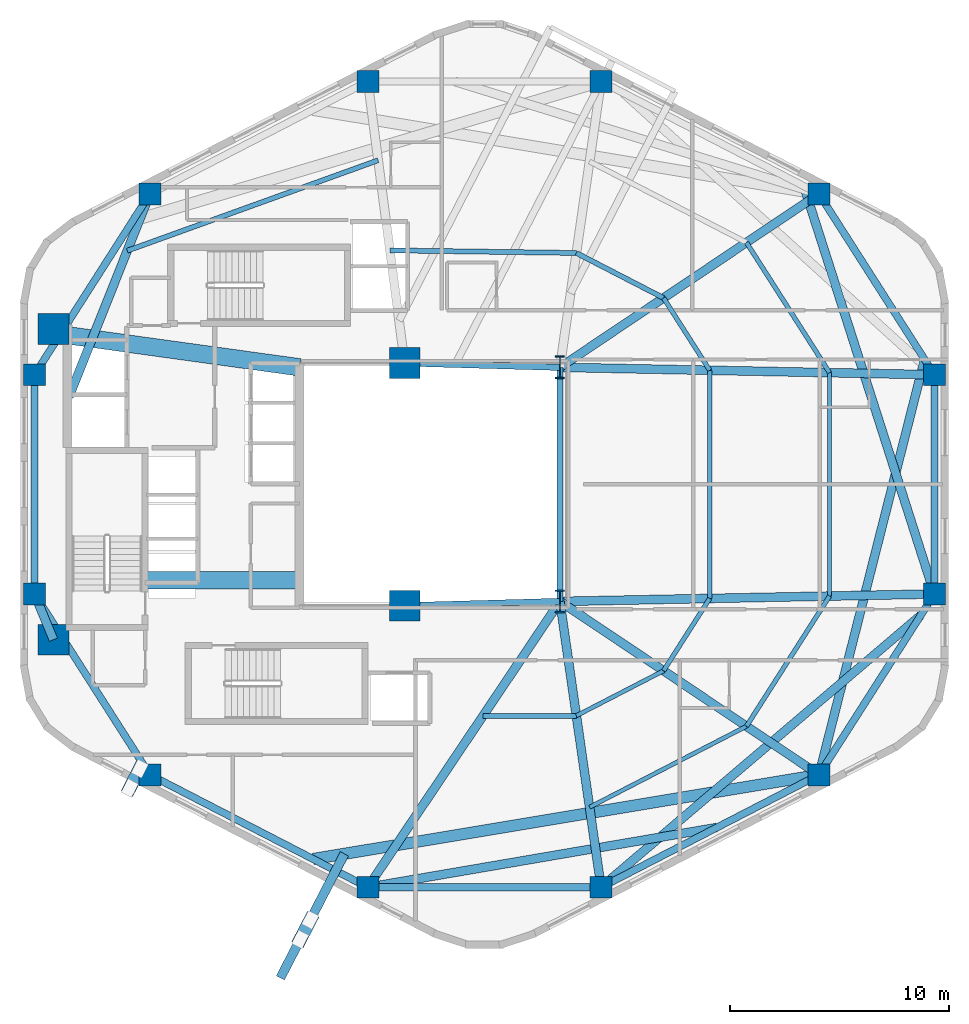
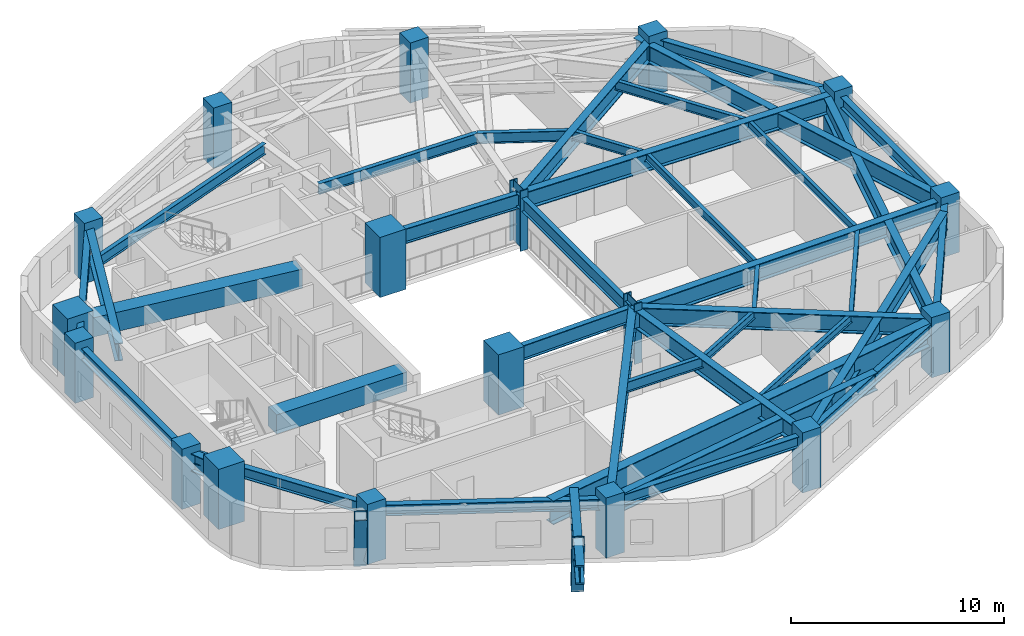
# One storey, part 1 of 7: 40 beams, 18 columns, 2 members.
"""IFC4 building model written with IfcOpenShell, lengths in metres."""

from ifc_helpers import new_model, si_unit, direction, frame, origin, origin_2d, place, context, subcontext, project, spatial, rectangle, hollow_rectangle, i_section, extrude, material, material_profile, profile_set, type_object, element, save


model = new_model("IFC4")

# Units and contexts
model_context = context("Model", 3, precision=1e-05, world=origin(), true_north=direction((0.0, 1.0)))
body_context = subcontext(model_context, "Body", "Model", "MODEL_VIEW")
ifc_project = project(units=[si_unit("LENGTHUNIT", "METRE"), si_unit("AREAUNIT", "SQUARE_METRE"), si_unit("VOLUMEUNIT", "CUBIC_METRE"), si_unit("PLANEANGLEUNIT", "RADIAN"), si_unit("MASSUNIT", "GRAM", prefix="KILO"), si_unit("THERMODYNAMICTEMPERATUREUNIT", "KELVIN"), si_unit("POWERUNIT", "WATT")], contexts=[model_context])

# Site, building, storey
site_placement = place(None, origin())
site = spatial("IfcSite", under=ifc_project, at=site_placement, CompositionType="ELEMENT")
building_placement = place(site_placement, origin())
building = spatial("IfcBuilding", under=site, at=building_placement, Name="Skarre Station Tower", CompositionType="ELEMENT")
storey_placement = place(building_placement, frame((0.0, 0.0, 160.199951171875)))
storey = spatial("IfcBuildingStorey", under=building, at=storey_placement, Name="L43", CompositionType="ELEMENT", Elevation=160.199951171875)

# Columns
ifc_material_1 = material(Name="Concrete C60/75", Category="concrete")
ifc_material_profile_1 = material_profile(ifc_material_1, rectangle(XDim=1.0, YDim=1.0, at=origin_2d()), Name="Concrete C60/75")
ifc_profile_set_1 = profile_set([ifc_material_profile_1], Name="Concrete C60/75")
column_type_1 = type_object("IfcColumnType", Name="RC Structural Column RC-COL-1000X1000", PredefinedType="COLUMN", material=ifc_profile_set_1)
for number, where, z_axis, x_axis, name in (
    (1, (51.291015625, 37.277099609375, 0.0), (0.0, 0.0, 1.0), (1.0, 0.0, 0.0), "L43 Zone 2 Perimeter Column F0C1"),
    (2, (41.3310546875, 42.41796875, 0.0), (0.0, 0.0, 1.0), (1.0, 0.0, 0.0), "L43 Zone 2 Perimeter Column F0C2"),
    (3, (30.6689453125, 42.41796875, 0.0), (0.0, 0.0, 1.0), (1.0, 0.0, 0.0), "L43 Zone 2 Perimeter Column F1C1"),
    (4, (20.708984375, 37.277099609375, 0.0), (0.0, 0.0, 1.0), (1.0, 0.0, 0.0), "L43 Zone 2 Perimeter Column F1C2"),
    (5, (15.431884765625, 29.010986328125, 0.0), (0.0, 0.0, 1.0), (1.0, 0.0, 0.0), "L43 Zone 2 Perimeter Column F2C1"),
    (6, (15.431884765625, 18.989013671875, 0.0), (0.0, 0.0, 1.0), (1.0, 0.0, 0.0), "L43 Zone 2 Perimeter Column F2C2"),
    (7, (20.708984375, 10.722900390625, 0.0), (0.0, 0.0, 1.0), (1.0, 0.0, 0.0), "L43 Zone 2 Perimeter Column F3C1"),
    (8, (30.6689453125, 5.58203125, 0.0), (0.0, 0.0, 1.0), (1.0, 0.0, 0.0), "L43 Zone 2 Perimeter Column F3C2"),
    (9, (41.3310546875, 5.58203125, 0.0), (0.0, 0.0, 1.0), (1.0, 0.0, 0.0), "L43 Zone 2 Perimeter Column F4C1"),
    (10, (51.291015625, 10.722900390625, 0.0), (0.0, 0.0, 1.0), (1.0, 0.0, 0.0), "L43 Zone 2 Perimeter Column F4C2"),
    (11, (56.568115234375, 18.989013671875, 0.0), (0.0, 0.0, 1.0), (1.0, 0.0, 0.0), "L43 Zone 2 Perimeter Column F5C1"),
    (12, (56.568115234375, 29.010986328125, 0.0), (0.0, 0.0, 1.0), (1.0, 0.0, 0.0), "L43 Zone 2 Perimeter Column F5C2"),
):
    element("IfcColumn", number, at=place(storey_placement, frame(where, z_axis=z_axis, x_axis=x_axis)), inside=storey, type_object=column_type_1, Name=name, PredefinedType="COLUMN", context=body_context, shape_type="SweptSolid", body=[
        extrude(rectangle(XDim=1.0, YDim=1.0, at=origin_2d()), origin(), (0.0, 0.0, 1.0), 3.449951171875),
    ])
ifc_material_2 = material(Name="Concrete C70/85", Category="concrete")
ifc_material_profile_2 = material_profile(ifc_material_2, rectangle(XDim=1.39990234375, YDim=1.39990234375, at=origin_2d()), Name="Concrete C70/85")
ifc_profile_set_2 = profile_set([ifc_material_profile_2], Name="Concrete C70/85")
column_type_2 = type_object("IfcColumnType", Name="RC Structural Column RC-COL-1400X1400", PredefinedType="COLUMN", material=ifc_profile_set_2)
for number, where, z_axis, x_axis, name in (
    (13, (16.300048828125, 16.89990234375, 0.0), (0.0, 0.0, 1.0), (1.0, 0.0, 0.0), "L43 Core Column CC-SW"),
    (14, (16.300048828125, 31.10009765625, 0.0), (0.0, 0.0, 1.0), (1.0, 0.0, 0.0), "L43 Core Column CC-NW"),
    (15, (32.35009765625, 18.449951171875, 0.0), (0.0, 0.0, 1.0), (1.0, 0.0, 0.0), "L43 Core Column CC-SE"),
    (16, (32.35009765625, 29.550048828125, 0.0), (0.0, 0.0, 1.0), (1.0, 0.0, 0.0), "L43 Core Column CC-NE"),
):
    element("IfcColumn", number, at=place(storey_placement, frame(where, z_axis=z_axis, x_axis=x_axis)), inside=storey, type_object=column_type_2, Name=name, PredefinedType="COLUMN", context=body_context, shape_type="SweptSolid", body=[
        extrude(rectangle(XDim=1.39990234375, YDim=1.39990234375, at=origin_2d()), origin(), (0.0, 0.0, 1.0), 3.449951171875),
    ])
ifc_material_3 = material(Name="Steel ASTM A913 Grade 65", Category="steel")
ifc_material_profile_3 = material_profile(ifc_material_3, i_section(OverallWidth=0.409912109375, OverallDepth=1.041015625, WebThickness=0.031005859375, FlangeThickness=0.055908203125, at=origin_2d()), Name="Steel ASTM A913 Grade 65")
ifc_profile_set_3 = profile_set([ifc_material_profile_3], Name="Steel ASTM A913 Grade 65")
column_type_3 = type_object("IfcColumnType", Name="Steel Column W40X397", PredefinedType="COLUMN", material=ifc_profile_set_3)
for number, where, z_axis, x_axis, name in (
    (17, (39.449951171875, 18.64990234375, 0.0), (0.0, 0.0, 1.0), (1.0, 0.0, 0.0), "L43 Atrium Spine Column AC-SE"),
    (18, (39.449951171875, 29.35009765625, 0.0), (0.0, 0.0, 1.0), (1.0, 0.0, 0.0), "L43 Atrium Spine Column AC-NE"),
):
    element("IfcColumn", number, at=place(storey_placement, frame(where, z_axis=z_axis, x_axis=x_axis)), inside=storey, type_object=column_type_3, Name=name, PredefinedType="COLUMN", context=body_context, shape_type="SweptSolid", body=[
        extrude(i_section(OverallWidth=0.409912109375, OverallDepth=1.041015625, WebThickness=0.031005859375, FlangeThickness=0.055908203125, at=origin_2d()), origin(), (0.0, 0.0, 1.0), 3.449951171875),
    ])

# Beams
ifc_material_4 = material(Name="Steel ASTM A572 Grade 50", Category="steel")
ifc_material_profile_4 = material_profile(ifc_material_4, i_section(OverallWidth=0.52001953125, OverallDepth=1.360107421875, WebThickness=0.02587890625, FlangeThickness=0.0380859375, at=origin_2d()), Name="Steel ASTM A572 Grade 50")
ifc_profile_set_4 = profile_set([ifc_material_profile_4], Name="Steel ASTM A572 Grade 50")
beam_type_1 = type_object("IfcBeamType", Name="Built-Up Plate Transfer Girder PG1360X520", PredefinedType="USERDEFINED", material=ifc_profile_set_4)
beam_1_placement = place(storey_placement, frame((51.291015625, 10.722900390625, 2.35009765625), z_axis=(-0.986430489739, -0.164179441203, 0.0), x_axis=(0.164179441203, -0.986430489739, 0.0)))
element("IfcBeam", 19, at=beam_1_placement, inside=storey, type_object=beam_type_1, Name="L43 Setback Perimeter Transfer Girder F3C2", ObjectType="TRANSFER_GIRDER", PredefinedType="USERDEFINED", context=body_context, shape_type="SweptSolid", body=[
    extrude(i_section(OverallWidth=0.52001953125, OverallDepth=1.360107421875, WebThickness=0.02587890625, FlangeThickness=0.0380859375, at=origin_2d()), origin(), (0.0, 0.0, 1.0), 23.443115234375),
])
ifc_material_profile_5 = material_profile(ifc_material_2, rectangle(XDim=0.800048828125, YDim=1.10009765625, at=origin_2d()), Name="Concrete C70/85")
ifc_profile_set_5 = profile_set([ifc_material_profile_5], Name="Concrete C70/85")
beam_type_2 = type_object("IfcBeamType", Name="RC Core Coupling Lintel 800x1100", PredefinedType="LINTEL", material=ifc_profile_set_5)
beam_2_placement = place(storey_placement, frame((20.489990234375, 19.6201171875, 2.47998046875), z_axis=(1.0, 0.0, 0.0), x_axis=(0.0, 1.0, 0.0)))
element("IfcBeam", 20, at=beam_2_placement, inside=storey, type_object=beam_type_2, Name="L43 South Core Coupling Lintel", PredefinedType="LINTEL", context=body_context, shape_type="SweptSolid", body=[
    extrude(rectangle(XDim=0.800048828125, YDim=1.10009765625, at=origin_2d()), origin(), (0.0, 0.0, 1.0), 7.06005859375),
])
beam_3_placement = place(storey_placement, frame((17.050048828125, 30.800048828125, 2.47998046875), z_axis=(0.990599723633, -0.136792498109, 0.0), x_axis=(0.136792498109, 0.990599723633, 0.0)))
element("IfcBeam", 21, at=beam_3_placement, inside=storey, type_object=beam_type_2, Name="L43 North Core Coupling Lintel", PredefinedType="LINTEL", context=body_context, shape_type="SweptSolid", body=[
    extrude(rectangle(XDim=0.800048828125, YDim=1.10009765625, at=origin_2d()), origin(), (0.0, 0.0, 1.0), 10.599609375),
])
ifc_material_5 = material(Name="Steel ASTM A992 Grade 50", Category="steel")
ifc_material_profile_6 = material_profile(ifc_material_5, i_section(OverallWidth=0.26806640625, OverallDepth=0.77001953125, WebThickness=0.01611328125, FlangeThickness=0.02490234375, at=origin_2d()), Name="Steel ASTM A992 Grade 50")
ifc_profile_set_6 = profile_set([ifc_material_profile_6], Name="Steel ASTM A992 Grade 50")
beam_type_3 = type_object("IfcBeamType", Name="Steel Beam W30X132", PredefinedType="BEAM", material=ifc_profile_set_6)
beam_4_placement = place(storey_placement, frame((39.449951171875, 18.64990234375, 2.64501953125), z_axis=(0.0, 1.0, 0.0), x_axis=(-1.0, 0.0, 0.0)))
element("IfcBeam", 22, at=beam_4_placement, inside=storey, type_object=beam_type_3, Name="L43 Atrium East Edge Girder", PredefinedType="BEAM", context=body_context, shape_type="SweptSolid", body=[
    extrude(i_section(OverallWidth=0.26806640625, OverallDepth=0.77001953125, WebThickness=0.01611328125, FlangeThickness=0.02490234375, at=origin_2d()), origin(), (0.0, 0.0, 1.0), 10.7001953125),
])
ifc_material_profile_7 = material_profile(ifc_material_5, i_section(OverallWidth=0.2919921875, OverallDepth=0.85888671875, WebThickness=0.01708984375, FlangeThickness=0.031005859375, at=origin_2d()), Name="Steel ASTM A992 Grade 50")
ifc_profile_set_7 = profile_set([ifc_material_profile_7], Name="Steel ASTM A992 Grade 50")
beam_type_4 = type_object("IfcBeamType", Name="Steel Beam W33X169", PredefinedType="BEAM", material=ifc_profile_set_7)
for number, where, z_axis, x_axis, name in (
    (23, (32.35009765625, 18.449951171875, 2.60009765625), (0.999603666405, 0.028151556095, 0.0), (-0.028151556095, 0.999603666405, 0.0), "L43 Atrium South Edge Girder"),
    (24, (32.35009765625, 29.550048828125, 2.60009765625), (0.999603666405, -0.028151556095, 0.0), (0.028151556095, 0.999603666405, 0.0), "L43 Atrium North Edge Girder"),
):
    element("IfcBeam", number, at=place(storey_placement, frame(where, z_axis=z_axis, x_axis=x_axis)), inside=storey, type_object=beam_type_4, Name=name, PredefinedType="BEAM", context=body_context, shape_type="SweptSolid", body=[
        extrude(i_section(OverallWidth=0.2919921875, OverallDepth=0.85888671875, WebThickness=0.01708984375, FlangeThickness=0.031005859375, at=origin_2d()), origin(), (0.0, 0.0, 1.0), 7.102783203125),
    ])
ifc_material_profile_8 = material_profile(ifc_material_5, i_section(OverallWidth=0.19091796875, OverallDepth=0.45703125, WebThickness=0.009033203125, FlangeThickness=0.013916015625, at=origin_2d()), Name="Steel ASTM A992 Grade 50")
ifc_profile_set_8 = profile_set([ifc_material_profile_8], Name="Steel ASTM A992 Grade 50")
beam_type_5 = type_object("IfcBeamType", Name="Steel Joist W18X50", PredefinedType="JOIST", material=ifc_profile_set_8)
beam_5_placement = place(storey_placement, frame((40.201904296875, 13.423095703125, 2.801025390625), z_axis=(0.888658598325, 0.458569401097, 0.0), x_axis=(-0.458569401097, 0.888658598325, 0.0)))
element("IfcBeam", 25, at=beam_5_placement, inside=storey, type_object=beam_type_5, Name="L43 Auxiliary Composite Joist 7", PredefinedType="JOIST", context=body_context, shape_type="SweptSolid", body=[
    extrude(i_section(OverallWidth=0.19091796875, OverallDepth=0.45703125, WebThickness=0.009033203125, FlangeThickness=0.013916015625, at=origin_2d()), origin(), (0.0, 0.0, 1.0), 4.4833984375),
])
beam_6_placement = place(storey_placement, frame((40.803955078125, 9.240966796875, 2.801025390625), z_axis=(0.888599977053, 0.458682985057, 0.0), x_axis=(-0.458682985057, 0.888599977053, 0.0)))
element("IfcBeam", 26, at=beam_6_placement, inside=storey, type_object=beam_type_5, Name="L43 Auxiliary Composite Joist 8", PredefinedType="JOIST", context=body_context, shape_type="SweptSolid", body=[
    extrude(i_section(OverallWidth=0.19091796875, OverallDepth=0.45703125, WebThickness=0.009033203125, FlangeThickness=0.013916015625, at=origin_2d()), origin(), (0.0, 0.0, 1.0), 8.0712890625),
])
beam_7_placement = place(storey_placement, frame((46.297119140625, 18.785888671875, 2.801025390625), z_axis=(0.0, 1.0, 0.0), x_axis=(-1.0, 0.0, 0.0)))
element("IfcBeam", 27, at=beam_7_placement, inside=storey, type_object=beam_type_5, Name="L43 Auxiliary Composite Joist 11", PredefinedType="JOIST", context=body_context, shape_type="SweptSolid", body=[
    extrude(i_section(OverallWidth=0.19091796875, OverallDepth=0.45703125, WebThickness=0.009033203125, FlangeThickness=0.013916015625, at=origin_2d()), origin(), (0.0, 0.0, 1.0), 10.42822265625),
])
beam_8_placement = place(storey_placement, frame((51.77490234375, 18.89404296875, 2.801025390625), z_axis=(0.0, 1.0, 0.0), x_axis=(-1.0, 0.0, 0.0)))
element("IfcBeam", 28, at=beam_8_placement, inside=storey, type_object=beam_type_5, Name="L43 Auxiliary Composite Joist 12", PredefinedType="JOIST", context=body_context, shape_type="SweptSolid", body=[
    extrude(i_section(OverallWidth=0.19091796875, OverallDepth=0.45703125, WebThickness=0.009033203125, FlangeThickness=0.013916015625, at=origin_2d()), origin(), (0.0, 0.0, 1.0), 10.2119140625),
])
ifc_material_profile_9 = material_profile(ifc_material_5, i_section(OverallWidth=0.208984375, OverallDepth=0.532958984375, WebThickness=0.010009765625, FlangeThickness=0.01611328125, at=origin_2d()), Name="Steel ASTM A992 Grade 50")
ifc_profile_set_9 = profile_set([ifc_material_profile_9], Name="Steel ASTM A992 Grade 50")
beam_type_6 = type_object("IfcBeamType", Name="Steel Joist W21X62", PredefinedType="JOIST", material=ifc_profile_set_9)
beam_9_placement = place(storey_placement, frame((44.18603515625, 15.47900390625, 2.762939453125), z_axis=(0.538090955129, 0.842886780065, 0.0), x_axis=(-0.842886780065, 0.538090955129, 0.0)))
element("IfcBeam", 29, at=beam_9_placement, inside=storey, type_object=beam_type_6, Name="L43 Auxiliary Composite Joist 9", PredefinedType="JOIST", context=body_context, shape_type="SweptSolid", body=[
    extrude(i_section(OverallWidth=0.208984375, OverallDepth=0.532958984375, WebThickness=0.010009765625, FlangeThickness=0.01611328125, at=origin_2d()), origin(), (0.0, 0.0, 1.0), 3.92333984375),
])
beam_10_placement = place(storey_placement, frame((47.97607421875, 12.943115234375, 2.762939453125), z_axis=(0.538072046089, 0.842898851119, 0.0), x_axis=(-0.842898851119, 0.538072046089, 0.0)))
element("IfcBeam", 30, at=beam_10_placement, inside=storey, type_object=beam_type_6, Name="L43 Auxiliary Composite Joist 10", PredefinedType="JOIST", context=body_context, shape_type="SweptSolid", body=[
    extrude(i_section(OverallWidth=0.208984375, OverallDepth=0.532958984375, WebThickness=0.010009765625, FlangeThickness=0.01611328125, at=origin_2d()), origin(), (0.0, 0.0, 1.0), 7.06005859375),
])
beam_11_placement = place(storey_placement, frame((46.297119140625, 29.214111328125, 2.762939453125), z_axis=(-0.538090955129, 0.842886780065, 0.0), x_axis=(-0.842886780065, -0.538090955129, 0.0)))
element("IfcBeam", 31, at=beam_11_placement, inside=storey, type_object=beam_type_6, Name="L43 Auxiliary Composite Joist 13", PredefinedType="JOIST", context=body_context, shape_type="SweptSolid", body=[
    extrude(i_section(OverallWidth=0.208984375, OverallDepth=0.532958984375, WebThickness=0.010009765625, FlangeThickness=0.01611328125, at=origin_2d()), origin(), (0.0, 0.0, 1.0), 3.92333984375),
])
beam_12_placement = place(storey_placement, frame((51.77490234375, 29.10595703125, 2.762939453125), z_axis=(-0.538072046089, 0.842898851119, 0.0), x_axis=(-0.842898851119, -0.538072046089, 0.0)))
element("IfcBeam", 32, at=beam_12_placement, inside=storey, type_object=beam_type_6, Name="L43 Auxiliary Composite Joist 14", PredefinedType="JOIST", context=body_context, shape_type="SweptSolid", body=[
    extrude(i_section(OverallWidth=0.208984375, OverallDepth=0.532958984375, WebThickness=0.010009765625, FlangeThickness=0.01611328125, at=origin_2d()), origin(), (0.0, 0.0, 1.0), 7.06005859375),
])
ifc_material_profile_10 = material_profile(ifc_material_5, i_section(OverallWidth=0.22802734375, OverallDepth=0.60791015625, WebThickness=0.010986328125, FlangeThickness=0.01708984375, at=origin_2d()), Name="Steel ASTM A992 Grade 50")
ifc_profile_set_10 = profile_set([ifc_material_profile_10], Name="Steel ASTM A992 Grade 50")
beam_type_7 = type_object("IfcBeamType", Name="Steel Joist W24X76", PredefinedType="JOIST", material=ifc_profile_set_10)
beam_13_placement = place(storey_placement, frame((44.18603515625, 32.52099609375, 2.72607421875), z_axis=(-0.888658598325, 0.458569401097, 0.0), x_axis=(-0.458569401097, -0.888658598325, 0.0)))
element("IfcBeam", 33, at=beam_13_placement, inside=storey, type_object=beam_type_7, Name="L43 Secondary Floor Joist 1", PredefinedType="JOIST", context=body_context, shape_type="SweptSolid", body=[
    extrude(i_section(OverallWidth=0.22802734375, OverallDepth=0.60791015625, WebThickness=0.010986328125, FlangeThickness=0.01708984375, at=origin_2d()), origin(), (0.0, 0.0, 1.0), 4.4833984375),
])
beam_14_placement = place(storey_placement, frame((40.201904296875, 34.576904296875, 2.72607421875), z_axis=(-0.999900725817, 0.014090369396, 0.0), x_axis=(-0.014090369396, -0.999900725817, 0.0)))
element("IfcBeam", 34, at=beam_14_placement, inside=storey, type_object=beam_type_7, Name="L43 Secondary Floor Joist 3", PredefinedType="JOIST", context=body_context, shape_type="SweptSolid", body=[
    extrude(i_section(OverallWidth=0.22802734375, OverallDepth=0.60791015625, WebThickness=0.010986328125, FlangeThickness=0.01708984375, at=origin_2d()), origin(), (0.0, 0.0, 1.0), 8.524658203125),
])
beam_15_placement = place(storey_placement, frame((31.139892578125, 38.81494140625, 2.72607421875), z_axis=(-0.940679663546, -0.339295992594, 0.0), x_axis=(0.339295992594, -0.940679663546, 0.0)))
element("IfcBeam", 35, at=beam_15_placement, inside=storey, type_object=beam_type_7, Name="L43 Secondary Floor Joist 5", PredefinedType="JOIST", context=body_context, shape_type="SweptSolid", body=[
    extrude(i_section(OverallWidth=0.22802734375, OverallDepth=0.60791015625, WebThickness=0.010986328125, FlangeThickness=0.01708984375, at=origin_2d()), origin(), (0.0, 0.0, 1.0), 12.18994140625),
])
beam_16_placement = place(storey_placement, frame((35.93798828125, 13.423095703125, 2.72607421875), z_axis=(1.0, 0.0, 0.0), x_axis=(0.0, 1.0, 0.0)))
element("IfcBeam", 36, at=beam_16_placement, inside=storey, type_object=beam_type_7, Name="L43 Secondary Floor Joist 6", PredefinedType="JOIST", context=body_context, shape_type="SweptSolid", body=[
    extrude(i_section(OverallWidth=0.22802734375, OverallDepth=0.60791015625, WebThickness=0.010986328125, FlangeThickness=0.01708984375, at=origin_2d()), origin(), (0.0, 0.0, 1.0), 4.263916015625),
])
ifc_material_profile_11 = material_profile(ifc_material_5, i_section(OverallWidth=0.327880859375, OverallDepth=0.6279296875, WebThickness=0.01708984375, FlangeThickness=0.028076171875, at=origin_2d()), Name="Steel ASTM A992 Grade 50")
ifc_profile_set_11 = profile_set([ifc_material_profile_11], Name="Steel ASTM A992 Grade 50")
beam_type_8 = type_object("IfcBeamType", Name="Steel Spandrel W24X146", PredefinedType="SPANDREL", material=ifc_profile_set_11)
beam_17_placement = place(storey_placement, frame((20.708984375, 37.277099609375, 2.716064453125), z_axis=(-0.538097547923, -0.842882571251, 0.0), x_axis=(0.842882571251, -0.538097547923, 0.0)))
element("IfcBeam", 37, at=beam_17_placement, inside=storey, type_object=beam_type_8, Name="L43 Facet Spandrel Beam 4", PredefinedType="SPANDREL", context=body_context, shape_type="SweptSolid", body=[
    extrude(i_section(OverallWidth=0.327880859375, OverallDepth=0.6279296875, WebThickness=0.01708984375, FlangeThickness=0.028076171875, at=origin_2d()), origin(), (0.0, 0.0, 1.0), 9.806884765625),
])
beam_18_placement = place(storey_placement, frame((15.431884765625, 29.010986328125, 2.716064453125), z_axis=(0.0, -1.0, 0.0), x_axis=(1.0, 0.0, 0.0)))
element("IfcBeam", 38, at=beam_18_placement, inside=storey, type_object=beam_type_8, Name="L43 Facet Spandrel Beam 5", PredefinedType="SPANDREL", context=body_context, shape_type="SweptSolid", body=[
    extrude(i_section(OverallWidth=0.327880859375, OverallDepth=0.6279296875, WebThickness=0.01708984375, FlangeThickness=0.028076171875, at=origin_2d()), origin(), (0.0, 0.0, 1.0), 10.02197265625),
])
beam_19_placement = place(storey_placement, frame((15.431884765625, 18.989013671875, 2.716064453125), z_axis=(0.538097547923, -0.842882571251, 0.0), x_axis=(0.842882571251, 0.538097547923, 0.0)))
element("IfcBeam", 39, at=beam_19_placement, inside=storey, type_object=beam_type_8, Name="L43 Facet Spandrel Beam 6", PredefinedType="SPANDREL", context=body_context, shape_type="SweptSolid", body=[
    extrude(i_section(OverallWidth=0.327880859375, OverallDepth=0.6279296875, WebThickness=0.01708984375, FlangeThickness=0.028076171875, at=origin_2d()), origin(), (0.0, 0.0, 1.0), 9.806884765625),
])
beam_20_placement = place(storey_placement, frame((20.708984375, 10.722900390625, 2.716064453125), z_axis=(0.888611779493, -0.458660119639, 0.0), x_axis=(0.458660119639, 0.888611779493, 0.0)))
element("IfcBeam", 40, at=beam_20_placement, inside=storey, type_object=beam_type_8, Name="L43 Facet Spandrel Beam 7", PredefinedType="SPANDREL", context=body_context, shape_type="SweptSolid", body=[
    extrude(i_section(OverallWidth=0.327880859375, OverallDepth=0.6279296875, WebThickness=0.01708984375, FlangeThickness=0.028076171875, at=origin_2d()), origin(), (0.0, 0.0, 1.0), 11.20849609375),
])
beam_21_placement = place(storey_placement, frame((30.6689453125, 5.58203125, 2.716064453125), z_axis=(1.0, 0.0, 0.0), x_axis=(0.0, 1.0, 0.0)))
element("IfcBeam", 41, at=beam_21_placement, inside=storey, type_object=beam_type_8, Name="L43 Facet Spandrel Beam 8", PredefinedType="SPANDREL", context=body_context, shape_type="SweptSolid", body=[
    extrude(i_section(OverallWidth=0.327880859375, OverallDepth=0.6279296875, WebThickness=0.01708984375, FlangeThickness=0.028076171875, at=origin_2d()), origin(), (0.0, 0.0, 1.0), 10.662109375),
])
beam_22_placement = place(storey_placement, frame((41.3310546875, 5.58203125, 2.716064453125), z_axis=(0.888611779493, 0.458660119639, 0.0), x_axis=(-0.458660119639, 0.888611779493, 0.0)))
element("IfcBeam", 42, at=beam_22_placement, inside=storey, type_object=beam_type_8, Name="L43 Facet Spandrel Beam 9", PredefinedType="SPANDREL", context=body_context, shape_type="SweptSolid", body=[
    extrude(i_section(OverallWidth=0.327880859375, OverallDepth=0.6279296875, WebThickness=0.01708984375, FlangeThickness=0.028076171875, at=origin_2d()), origin(), (0.0, 0.0, 1.0), 11.20849609375),
])
beam_23_placement = place(storey_placement, frame((51.291015625, 10.722900390625, 2.716064453125), z_axis=(0.538097547923, 0.842882571251, 0.0), x_axis=(-0.842882571251, 0.538097547923, 0.0)))
element("IfcBeam", 43, at=beam_23_placement, inside=storey, type_object=beam_type_8, Name="L43 Facet Spandrel Beam 10", PredefinedType="SPANDREL", context=body_context, shape_type="SweptSolid", body=[
    extrude(i_section(OverallWidth=0.327880859375, OverallDepth=0.6279296875, WebThickness=0.01708984375, FlangeThickness=0.028076171875, at=origin_2d()), origin(), (0.0, 0.0, 1.0), 9.806884765625),
])
beam_24_placement = place(storey_placement, frame((56.568115234375, 18.989013671875, 2.716064453125), z_axis=(0.0, 1.0, 0.0), x_axis=(-1.0, 0.0, 0.0)))
element("IfcBeam", 44, at=beam_24_placement, inside=storey, type_object=beam_type_8, Name="L43 Facet Spandrel Beam 11", PredefinedType="SPANDREL", context=body_context, shape_type="SweptSolid", body=[
    extrude(i_section(OverallWidth=0.327880859375, OverallDepth=0.6279296875, WebThickness=0.01708984375, FlangeThickness=0.028076171875, at=origin_2d()), origin(), (0.0, 0.0, 1.0), 10.02197265625),
])
beam_25_placement = place(storey_placement, frame((56.568115234375, 29.010986328125, 2.716064453125), z_axis=(-0.538097547923, 0.842882571251, 0.0), x_axis=(-0.842882571251, -0.538097547923, 0.0)))
element("IfcBeam", 45, at=beam_25_placement, inside=storey, type_object=beam_type_8, Name="L43 Facet Spandrel Beam 12", PredefinedType="SPANDREL", context=body_context, shape_type="SweptSolid", body=[
    extrude(i_section(OverallWidth=0.327880859375, OverallDepth=0.6279296875, WebThickness=0.01708984375, FlangeThickness=0.028076171875, at=origin_2d()), origin(), (0.0, 0.0, 1.0), 9.806884765625),
])
ifc_material_profile_12 = material_profile(ifc_material_3, i_section(OverallWidth=0.402099609375, OverallDepth=1.008056640625, WebThickness=0.02099609375, FlangeThickness=0.0400390625, at=origin_2d()), Name="Steel ASTM A913 Grade 65")
ifc_profile_set_12 = profile_set([ifc_material_profile_12], Name="Steel ASTM A913 Grade 65")
beam_type_9 = type_object("IfcBeamType", Name="Steel Transfer Girder W40X277", PredefinedType="USERDEFINED", material=ifc_profile_set_12)
beam_26_placement = place(storey_placement, frame((39.449951171875, 29.35009765625, 2.526123046875), z_axis=(0.830981218317, 0.556300471692, 0.0), x_axis=(-0.556300471692, 0.830981218317, 0.0)))
element("IfcBeam", 46, at=beam_26_placement, inside=storey, type_object=beam_type_9, Name="L43 Radial Floor Girder F0C1", ObjectType="TRANSFER_GIRDER", PredefinedType="USERDEFINED", context=body_context, shape_type="SweptSolid", body=[
    extrude(i_section(OverallWidth=0.402099609375, OverallDepth=1.008056640625, WebThickness=0.02099609375, FlangeThickness=0.0400390625, at=origin_2d()), origin(), (0.0, 0.0, 1.0), 14.24951171875),
])
beam_27_placement = place(storey_placement, frame((17.010009765625, 28.0, 2.526123046875), z_axis=(0.370366288946, 0.928885790618, 0.0), x_axis=(-0.928885790618, 0.370366288946, 0.0)))
element("IfcBeam", 47, at=beam_27_placement, inside=storey, type_object=beam_type_9, Name="L43 Radial Floor Girder F1C2", ObjectType="TRANSFER_GIRDER", PredefinedType="USERDEFINED", context=body_context, shape_type="SweptSolid", body=[
    extrude(i_section(OverallWidth=0.402099609375, OverallDepth=1.008056640625, WebThickness=0.02099609375, FlangeThickness=0.0400390625, at=origin_2d()), origin(), (0.0, 0.0, 1.0), 9.9873046875),
])
beam_28_placement = place(storey_placement, frame((16.300048828125, 16.89990234375, 2.526123046875), z_axis=(-0.383749333092, 0.923437301256, 0.0), x_axis=(-0.923437301256, -0.383749333092, 0.0)))
element("IfcBeam", 48, at=beam_28_placement, inside=storey, type_object=beam_type_9, Name="L43 Radial Floor Girder F2C2", ObjectType="TRANSFER_GIRDER", PredefinedType="USERDEFINED", context=body_context, shape_type="SweptSolid", body=[
    extrude(i_section(OverallWidth=0.402099609375, OverallDepth=1.008056640625, WebThickness=0.02099609375, FlangeThickness=0.0400390625, at=origin_2d()), origin(), (0.0, 0.0, 1.0), 2.26220703125),
])
beam_29_placement = place(storey_placement, frame((39.449951171875, 18.64990234375, 2.526123046875), z_axis=(-0.55773464691, -0.830019315219, 0.0), x_axis=(0.830019315219, -0.55773464691, 0.0)))
element("IfcBeam", 49, at=beam_29_placement, inside=storey, type_object=beam_type_9, Name="L43 Radial Floor Girder F3C2", ObjectType="TRANSFER_GIRDER", PredefinedType="USERDEFINED", context=body_context, shape_type="SweptSolid", body=[
    extrude(i_section(OverallWidth=0.402099609375, OverallDepth=1.008056640625, WebThickness=0.02099609375, FlangeThickness=0.0400390625, at=origin_2d()), origin(), (0.0, 0.0, 1.0), 15.744140625),
])
beam_30_placement = place(storey_placement, frame((30.6689453125, 5.58203125, 2.526123046875), z_axis=(0.985648791638, 0.168808943904, 0.0), x_axis=(-0.168808943904, 0.985648791638, 0.0)))
element("IfcBeam", 50, at=beam_30_placement, inside=storey, type_object=beam_type_9, Name="L43 Setback Perimeter Transfer Girder F4C1", ObjectType="TRANSFER_GIRDER", PredefinedType="USERDEFINED", context=body_context, shape_type="SweptSolid", body=[
    extrude(i_section(OverallWidth=0.402099609375, OverallDepth=1.008056640625, WebThickness=0.02099609375, FlangeThickness=0.0400390625, at=origin_2d()), origin(), (0.0, 0.0, 1.0), 16.189453125),
])
beam_31_placement = place(storey_placement, frame((39.449951171875, 18.64990234375, 2.526123046875), z_axis=(0.142480121776, -0.989797663616, 0.0), x_axis=(0.989797663616, 0.142480121776, 0.0)))
element("IfcBeam", 51, at=beam_31_placement, inside=storey, type_object=beam_type_9, Name="L43 Radial Floor Girder F4C1", ObjectType="TRANSFER_GIRDER", PredefinedType="USERDEFINED", context=body_context, shape_type="SweptSolid", body=[
    extrude(i_section(OverallWidth=0.402099609375, OverallDepth=1.008056640625, WebThickness=0.02099609375, FlangeThickness=0.0400390625, at=origin_2d()), origin(), (0.0, 0.0, 1.0), 13.20263671875),
])
beam_32_placement = place(storey_placement, frame((41.3310546875, 5.58203125, 2.526123046875), z_axis=(0.761707872953, 0.647920609551, 0.0), x_axis=(-0.647920609551, 0.761707872953, 0.0)))
element("IfcBeam", 52, at=beam_32_placement, inside=storey, type_object=beam_type_9, Name="L43 Setback Perimeter Transfer Girder F4C2", ObjectType="TRANSFER_GIRDER", PredefinedType="USERDEFINED", context=body_context, shape_type="SweptSolid", body=[
    extrude(i_section(OverallWidth=0.402099609375, OverallDepth=1.008056640625, WebThickness=0.02099609375, FlangeThickness=0.0400390625, at=origin_2d()), origin(), (0.0, 0.0, 1.0), 19.185791015625),
])
beam_33_placement = place(storey_placement, frame((39.449951171875, 18.64990234375, 2.526123046875), z_axis=(0.830981218317, -0.556300471692, 0.0), x_axis=(0.556300471692, 0.830981218317, 0.0)))
element("IfcBeam", 53, at=beam_33_placement, inside=storey, type_object=beam_type_9, Name="L43 Radial Floor Girder F4C2", ObjectType="TRANSFER_GIRDER", PredefinedType="USERDEFINED", context=body_context, shape_type="SweptSolid", body=[
    extrude(i_section(OverallWidth=0.402099609375, OverallDepth=1.008056640625, WebThickness=0.02099609375, FlangeThickness=0.0400390625, at=origin_2d()), origin(), (0.0, 0.0, 1.0), 14.24951171875),
])
beam_34_placement = place(storey_placement, frame((51.291015625, 10.722900390625, 2.526123046875), z_axis=(0.246379935655, 0.969173321603, 0.0), x_axis=(-0.969173321603, 0.246379935655, 0.0)))
element("IfcBeam", 54, at=beam_34_placement, inside=storey, type_object=beam_type_9, Name="L43 Setback Perimeter Transfer Girder F5C1", ObjectType="TRANSFER_GIRDER", PredefinedType="USERDEFINED", context=body_context, shape_type="SweptSolid", body=[
    extrude(i_section(OverallWidth=0.402099609375, OverallDepth=1.008056640625, WebThickness=0.02099609375, FlangeThickness=0.0400390625, at=origin_2d()), origin(), (0.0, 0.0, 1.0), 19.59521484375),
])
beam_35_placement = place(storey_placement, frame((39.449951171875, 18.64990234375, 2.526123046875), z_axis=(0.999803839107, 0.019806143142, 0.0), x_axis=(-0.019806143142, 0.999803839107, 0.0)))
element("IfcBeam", 55, at=beam_35_placement, inside=storey, type_object=beam_type_9, Name="L43 Radial Floor Girder F5C1", ObjectType="TRANSFER_GIRDER", PredefinedType="USERDEFINED", context=body_context, shape_type="SweptSolid", body=[
    extrude(i_section(OverallWidth=0.402099609375, OverallDepth=1.008056640625, WebThickness=0.02099609375, FlangeThickness=0.0400390625, at=origin_2d()), origin(), (0.0, 0.0, 1.0), 17.12158203125),
])
beam_36_placement = place(storey_placement, frame((56.568115234375, 18.989013671875, 2.526123046875), z_axis=(-0.304982944283, 0.95235781285, 0.0), x_axis=(-0.95235781285, -0.304982944283, 0.0)))
element("IfcBeam", 56, at=beam_36_placement, inside=storey, type_object=beam_type_9, Name="L43 Setback Perimeter Transfer Girder F5C2", ObjectType="TRANSFER_GIRDER", PredefinedType="USERDEFINED", context=body_context, shape_type="SweptSolid", body=[
    extrude(i_section(OverallWidth=0.402099609375, OverallDepth=1.008056640625, WebThickness=0.02099609375, FlangeThickness=0.0400390625, at=origin_2d()), origin(), (0.0, 0.0, 1.0), 19.578857421875),
])
beam_37_placement = place(storey_placement, frame((39.449951171875, 29.35009765625, 2.526123046875), z_axis=(0.999803839107, -0.019806143142, 0.0), x_axis=(0.019806143142, 0.999803839107, 0.0)))
element("IfcBeam", 57, at=beam_37_placement, inside=storey, type_object=beam_type_9, Name="L43 Radial Floor Girder F5C2", ObjectType="TRANSFER_GIRDER", PredefinedType="USERDEFINED", context=body_context, shape_type="SweptSolid", body=[
    extrude(i_section(OverallWidth=0.402099609375, OverallDepth=1.008056640625, WebThickness=0.02099609375, FlangeThickness=0.0400390625, at=origin_2d()), origin(), (0.0, 0.0, 1.0), 17.12158203125),
])
ifc_material_profile_13 = material_profile(ifc_material_3, i_section(OverallWidth=0.424072265625, OverallDepth=1.092041015625, WebThickness=0.044921875, FlangeThickness=0.08203125, at=origin_2d()), Name="Steel ASTM A913 Grade 65")
ifc_profile_set_13 = profile_set([ifc_material_profile_13], Name="Steel ASTM A913 Grade 65")
beam_type_10 = type_object("IfcBeamType", Name="Steel Transfer Girder W40X593", PredefinedType="USERDEFINED", material=ifc_profile_set_13)
beam_38_placement = place(storey_placement, frame((29.597900390625, 7.112060546875, 2.484130859375), z_axis=(-0.458549349382, -0.88866894521, 0.0), x_axis=(0.88866894521, -0.458549349382, 0.0)))
element("IfcBeam", 58, at=beam_38_placement, inside=storey, type_object=beam_type_10, Name="L43 SB-4 Exoskeleton Tier-1 Transfer Girder S2", ObjectType="TRANSFER_GIRDER", PredefinedType="USERDEFINED", context=body_context, shape_type="SweptSolid", body=[
    extrude(i_section(OverallWidth=0.424072265625, OverallDepth=1.092041015625, WebThickness=0.044921875, FlangeThickness=0.08203125, at=origin_2d()), origin(), (0.0, 0.0, 1.0), 6.380615234375),
])

# Members
ifc_material_6 = material(Name="Steel ASTM A501 Grade B", Category="steel")
ifc_material_profile_14 = material_profile(ifc_material_6, hollow_rectangle(XDim=0.60009765625, YDim=0.60009765625, WallThickness=0.028076171875, at=origin_2d()), Name="Steel ASTM A501 Grade B")
ifc_profile_set_14 = profile_set([ifc_material_profile_14], Name="Steel ASTM A501 Grade B")
member_type = type_object("IfcMemberType", Name="Steel Truss Strut HSS600X600X28", PredefinedType="STRUT", material=ifc_profile_set_14)
member_1_placement = place(storey_placement, frame((20.2451171875, 11.0048828125, -0.280029296875), z_axis=(-0.132465757205, -0.256811278761, 0.957340477714), x_axis=(0.88873628303, -0.458418825121, 0.0)))
element("IfcMember", 59, at=member_1_placement, inside=storey, type_object=member_type, Name="L43 SB-4 Exoskeleton Raking Strut Tier 1 S1", PredefinedType="STRUT", context=body_context, shape_type="SweptSolid", body=[
    extrude(hollow_rectangle(XDim=0.60009765625, YDim=0.60009765625, WallThickness=0.028076171875, at=origin_2d()), origin(), (0.0, 0.0, 1.0), 3.45751953125),
])
member_2_placement = place(storey_placement, frame((28.0390625, 4.091064453125, -0.280029296875), z_axis=(-0.132731187206, -0.257131374363, 0.957217785178), x_axis=(0.888594994089, -0.458692638354, 0.0)))
element("IfcMember", 60, at=member_2_placement, inside=storey, type_object=member_type, Name="L43 SB-4 Exoskeleton Raking Strut Tier 1 S2", PredefinedType="STRUT", context=body_context, shape_type="SweptSolid", body=[
    extrude(hollow_rectangle(XDim=0.60009765625, YDim=0.60009765625, WallThickness=0.028076171875, at=origin_2d()), origin(), (0.0, 0.0, 1.0), 3.4580078125),
])

save(model, "model.ifc")
